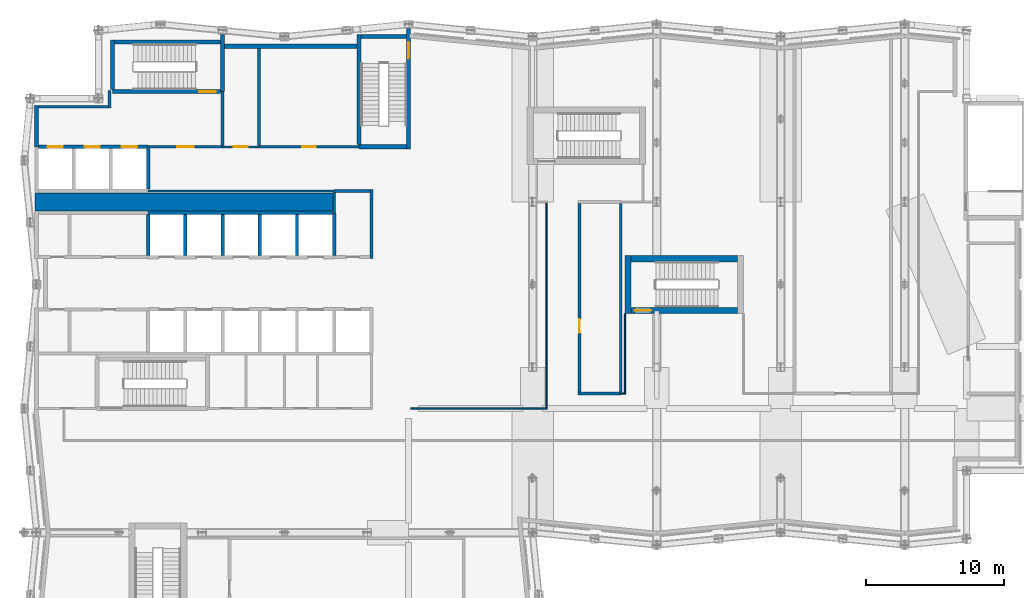
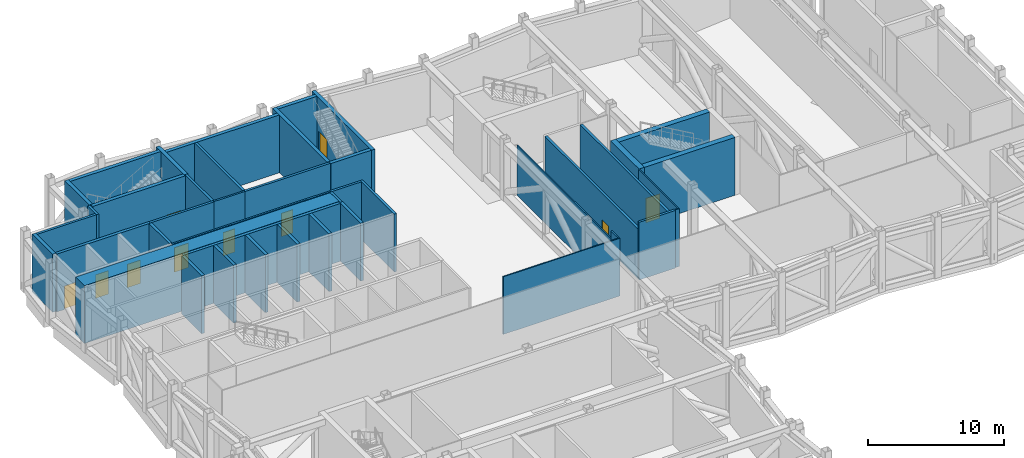
# One storey, part 11 of 22: 42 walls, 10 doors, 10 openings.
"""IFC4 building model written with IfcOpenShell, lengths in metres."""

from ifc_helpers import new_model, si_unit, direction, frame, frame_2d, origin, place, context, subcontext, project, spatial, rectangle, extrude, material, layer, layer_set, type_object, element, fill, save


model = new_model("IFC4")

# Units and contexts
model_context = context("Model", 3, precision=1e-05, world=origin(), true_north=direction((0.0, 1.0)))
body_context = subcontext(model_context, "Body", "Model", "MODEL_VIEW")
ifc_project = project(units=[si_unit("LENGTHUNIT", "METRE"), si_unit("AREAUNIT", "SQUARE_METRE"), si_unit("VOLUMEUNIT", "CUBIC_METRE"), si_unit("PLANEANGLEUNIT", "RADIAN"), si_unit("MASSUNIT", "GRAM", prefix="KILO")], contexts=[model_context])

# Site, building, storey
site_placement = place(None, origin())
site = spatial("IfcSite", under=ifc_project, at=site_placement, CompositionType="ELEMENT")
building_placement = place(site_placement, origin())
building = spatial("IfcBuilding", under=site, at=building_placement, Name="Brondeck Convention Tower", CompositionType="ELEMENT")
storey_placement = place(building_placement, frame((0.0, 0.0, 32.0)))
storey = spatial("IfcBuildingStorey", under=building, at=storey_placement, Name="L05", CompositionType="ELEMENT", Elevation=32.0)

# Walls
ifc_material_1 = material(Name="Concrete C80/95", Category="concrete")
ifc_layer_1 = layer(ifc_material_1, 0.199951171875)
ifc_layer_set_1 = layer_set([ifc_layer_1], Name="Core beam-seat wall 200 Concrete C80/95")
wall_type_1 = type_object("IfcWallType", Name="Core beam-seat wall 200 Concrete C80/95", PredefinedType="SHEAR", material=ifc_layer_set_1)
wall_1_placement = place(storey_placement, frame((24.300048828125, 46.89990234375, 0.0), z_axis=(0.0, 0.0, 1.0), x_axis=(0.0, 1.0, 0.0)))
element("IfcWall", 1, at=wall_1_placement, inside=storey, type_object=wall_type_1, Name="L05 core wall", PredefinedType="SHEAR", context=body_context, shape_type="SweptSolid", body=[
    extrude(rectangle(XDim=5.0, YDim=0.199951171875, at=frame_2d((2.5, 0.0))), origin(), (0.0, 0.0, 1.0), 5.199951171875),
])
ifc_layer_2 = layer(ifc_material_1, 0.300048828125)
ifc_layer_set_2 = layer_set([ifc_layer_2], Name="Core outer wall 300 Concrete C80/95")
wall_type_2 = type_object("IfcWallType", Name="Core outer wall 300 Concrete C80/95", PredefinedType="SHEAR", material=ifc_layer_set_2)
wall_2_placement = place(storey_placement, frame((13.64990234375, 62.300048828125, 0.0), z_axis=(0.0, 0.0, 1.0), x_axis=(1.0, 0.0, 0.0)))
element("IfcWall", 2, at=wall_2_placement, inside=storey, type_object=wall_type_2, Name="L05 core wall", PredefinedType="SHEAR", context=body_context, shape_type="SweptSolid", body=[
    extrude(rectangle(XDim=9.60009765625, YDim=0.300048828125, at=frame_2d((4.800048828125, 0.0))), origin(), (0.0, 0.0, 1.0), 5.199951171875),
])
wall_3_placement = place(storey_placement, frame((0.0, 55.0, 0.0), z_axis=(0.0, 0.0, 1.0), x_axis=(0.0, 1.0, 0.0)))
element("IfcWall", 3, at=wall_3_placement, inside=storey, type_object=wall_type_2, Name="L05 core wall", PredefinedType="SHEAR", context=body_context, shape_type="SweptSolid", body=[
    extrude(rectangle(XDim=3.0, YDim=0.300048828125, at=frame_2d((1.5, 0.0))), origin(), (0.0, 0.0, 1.0), 5.199951171875),
])
ifc_material_2 = material(Name="Fire-rated gypsum board partition")
ifc_layer_3 = layer(ifc_material_2, 0.14990234375)
ifc_layer_set_3 = layer_set([ifc_layer_3], Name="Core partition 150 EI 60")
wall_type_3 = type_object("IfcWallType", Name="Core partition 150 EI 60", PredefinedType="PARTITIONING", material=ifc_layer_set_3)
wall_4_placement = place(storey_placement, frame((8.10009765625, 51.800048828125, 0.0), z_axis=(0.0, 0.0, 1.0), x_axis=(1.0, 0.0, 0.0)))
element("IfcWall", 4, at=wall_4_placement, inside=storey, type_object=wall_type_3, Name="L05 core wall", PredefinedType="PARTITIONING", context=body_context, shape_type="SweptSolid", body=[
    extrude(rectangle(XDim=13.5, YDim=0.14990234375, at=frame_2d((6.75, 0.0))), origin(), (0.0, 0.0, 1.0), 5.199951171875),
])

# Wall, opening, door
wall_5_placement = place(storey_placement, frame((13.5, 55.0, 0.0), z_axis=(0.0, 0.0, 1.0), x_axis=(1.0, 0.0, 0.0)))
wall_5 = element("IfcWall", 5, at=wall_5_placement, inside=storey, type_object=wall_type_3, Name="L05 core wall", PredefinedType="PARTITIONING", context=body_context, shape_type="SweptSolid", body=[
    extrude(rectangle(XDim=2.64990234375, YDim=0.14990234375, at=frame_2d((1.324951171875, 0.0))), origin(), (0.0, 0.0, 1.0), 5.199951171875),
])
opening_1_placement = place(wall_5_placement, frame((0.824951171875, 0.0, 0.0)))
opening_1 = element("IfcOpeningElement", 6, at=opening_1_placement, cuts=wall_5, Name="Opening C07-12", PredefinedType="OPENING", context=body_context, shape_type="SweptSolid", body=[
    extrude(rectangle(XDim=1.0, YDim=2.10009765625, at=frame_2d((0.5, 1.050048828125))), frame((0.0, 0.0849609375, 0.0), z_axis=(0.0, -1.0, 0.0), x_axis=(1.0, 0.0, 0.0)), (0.0, 0.0, 1.0), 0.169921875),
])
ifc_material_3 = material(Name="Steel fire door", Category="steel")
door_type_1 = type_object("IfcDoorType", Name="Room door 1000x2100 EI 60", OperationType="NOTDEFINED", PredefinedType="DOOR", material=ifc_material_3)
door_1_placement = place(opening_1_placement, origin())
door_1 = element("IfcDoor", 7, at=door_1_placement, inside=storey, type_object=door_type_1, Name="L05 Room door NE-1", OperationType="SINGLE_SWING_LEFT", OverallHeight=2.10009765625, OverallWidth=1.0, PredefinedType="DOOR", context=body_context, shape_type="SweptSolid", body=[
    extrude(rectangle(XDim=1.0, YDim=2.10009765625, at=frame_2d((0.5, 1.050048828125))), frame((0.0, 0.02490234375, 0.0), z_axis=(0.0, -1.0, 0.0), x_axis=(1.0, 0.0, 0.0)), (0.0, 0.0, 1.0), 0.050048828125),
])
fill(opening_1, door_1)

# Wall
ifc_layer_4 = layer(ifc_material_1, 1.300048828125)
ifc_layer_set_4 = layer_set([ifc_layer_4], Name="Core shear wall 1300 Concrete C80/95")
wall_type_4 = type_object("IfcWallType", Name="Core shear wall 1300 Concrete C80/95", PredefinedType="SHEAR", material=ifc_layer_set_4)
wall_6_placement = place(storey_placement, frame((-0.125, 51.0, 0.0), z_axis=(0.0, 0.0, 1.0), x_axis=(1.0, 0.0, 0.0)))
element("IfcWall", 8, at=wall_6_placement, inside=storey, type_object=wall_type_4, Name="L05 core wall", PredefinedType="SHEAR", context=body_context, shape_type="SweptSolid", body=[
    extrude(rectangle(XDim=21.625, YDim=1.300048828125, at=frame_2d((10.8125, 0.0))), origin(), (0.0, 0.0, 1.0), 5.199951171875),
])

# Wall, opening, door
ifc_layer_5 = layer(ifc_material_2, 0.199951171875)
ifc_layer_set_5 = layer_set([ifc_layer_5], Name="Firefighting lobby wall 200 EI 120")
wall_type_5 = type_object("IfcWallType", Name="Firefighting lobby wall 200 EI 120", PredefinedType="PARTITIONING", material=ifc_layer_set_5)
wall_7_placement = place(storey_placement, frame((8.10009765625, 55.0, 0.0), z_axis=(0.0, 0.0, 1.0), x_axis=(1.0, 0.0, 0.0)))
wall_7 = element("IfcWall", 9, at=wall_7_placement, inside=storey, type_object=wall_type_5, Name="L05 core wall", PredefinedType="PARTITIONING", context=body_context, shape_type="SweptSolid", body=[
    extrude(rectangle(XDim=5.39990234375, YDim=0.199951171875, at=frame_2d((2.699951171875, 0.0))), origin(), (0.0, 0.0, 1.0), 5.199951171875),
])
opening_2_placement = place(wall_7_placement, frame((2.10009765625, 0.0, 0.0)))
opening_2 = element("IfcOpeningElement", 10, at=opening_2_placement, cuts=wall_7, Name="Opening C07-01", PredefinedType="OPENING", context=body_context, shape_type="SweptSolid", body=[
    extrude(rectangle(XDim=1.199951171875, YDim=2.199951171875, at=frame_2d((0.60009765625, 1.10009765625))), frame((0.0, 0.10986328125, 0.0), z_axis=(0.0, -1.0, 0.0), x_axis=(1.0, 0.0, 0.0)), (0.0, 0.0, 1.0), 0.219970703125),
])
door_type_2 = type_object("IfcDoorType", Name="Firefighting lobby door 1200x2200 EI 120", OperationType="NOTDEFINED", PredefinedType="DOOR", material=ifc_material_3)
door_2_placement = place(opening_2_placement, origin())
door_2 = element("IfcDoor", 11, at=door_2_placement, inside=storey, type_object=door_type_2, Name="L05 Firefighting lobby door FFL-1", OperationType="SINGLE_SWING_RIGHT", OverallHeight=2.199951171875, OverallWidth=1.199951171875, PredefinedType="DOOR", context=body_context, shape_type="SweptSolid", body=[
    extrude(rectangle(XDim=1.199951171875, YDim=2.199951171875, at=frame_2d((0.60009765625, 1.10009765625))), frame((0.0, 0.02490234375, 0.0), z_axis=(0.0, -1.0, 0.0), x_axis=(1.0, 0.0, 0.0)), (0.0, 0.0, 1.0), 0.050048828125),
])
fill(opening_2, door_2)

# Walls
wall_8_placement = place(storey_placement, frame((0.14990234375, 57.89990234375, 0.0), z_axis=(0.0, 0.0, 1.0), x_axis=(1.0, 0.0, 0.0)))
element("IfcWall", 12, at=wall_8_placement, inside=storey, type_object=wall_type_5, Name="L05 core wall", PredefinedType="PARTITIONING", context=body_context, shape_type="SweptSolid", body=[
    extrude(rectangle(XDim=5.050048828125, YDim=0.199951171875, at=frame_2d((2.52490234375, 0.0))), origin(), (0.0, 0.0, 1.0), 5.199951171875),
])
wall_9_placement = place(storey_placement, frame((5.300048828125, 57.800048828125, 0.0), z_axis=(0.0, 0.0, 1.0), x_axis=(0.0, 1.0, 0.0)))
element("IfcWall", 13, at=wall_9_placement, inside=storey, type_object=wall_type_5, Name="L05 core wall", PredefinedType="PARTITIONING", context=body_context, shape_type="SweptSolid", body=[
    extrude(rectangle(XDim=1.300048828125, YDim=0.199951171875, at=frame_2d((0.64990234375, 0.0))), origin(), (0.0, 0.0, 1.0), 5.199951171875),
])
wall_10_placement = place(storey_placement, frame((13.5, 55.10009765625, 0.0), z_axis=(0.0, 0.0, 1.0), x_axis=(0.0, 1.0, 0.0)))
element("IfcWall", 14, at=wall_10_placement, inside=storey, type_object=wall_type_5, Name="L05 core wall", PredefinedType="PARTITIONING", context=body_context, shape_type="SweptSolid", body=[
    extrude(rectangle(XDim=3.89990234375, YDim=0.199951171875, at=frame_2d((1.949951171875, 0.0))), origin(), (0.0, 0.0, 1.0), 5.199951171875),
])
ifc_layer_6 = layer(ifc_material_1, 0.25)
ifc_layer_set_6 = layer_set([ifc_layer_6], Name="Lift shaft wall 250 Concrete C80/95")
wall_type_6 = type_object("IfcWallType", Name="Lift shaft wall 250 Concrete C80/95", PredefinedType="SHEAR", material=ifc_layer_set_6)
wall_11_placement = place(storey_placement, frame((8.10009765625, 50.199951171875, 0.0), z_axis=(0.0, 0.0, 1.0), x_axis=(1.0, 0.0, 0.0)))
element("IfcWall", 15, at=wall_11_placement, inside=storey, type_object=wall_type_6, Name="L05 core wall", PredefinedType="SHEAR", context=body_context, shape_type="SweptSolid", body=[
    extrude(rectangle(XDim=13.375, YDim=0.25, at=frame_2d((6.6875, 0.0))), origin(), (0.0, 0.0, 1.0), 5.199951171875),
])

# Wall, openings, doors
wall_12_placement = place(storey_placement, frame((0.14990234375, 55.0, 0.0), z_axis=(0.0, 0.0, 1.0), x_axis=(1.0, 0.0, 0.0)))
wall_12 = element("IfcWall", 16, at=wall_12_placement, inside=storey, type_object=wall_type_6, Name="L05 core wall", PredefinedType="SHEAR", context=body_context, shape_type="SweptSolid", body=[
    extrude(rectangle(XDim=7.9501953125, YDim=0.25, at=frame_2d((3.97509765625, 0.0))), origin(), (0.0, 0.0, 1.0), 5.199951171875),
])
opening_3_placement = place(wall_12_placement, frame((0.64990234375, 0.0, 0.0)))
opening_3 = element("IfcOpeningElement", 17, at=opening_3_placement, cuts=wall_12, Name="Opening C07-23", PredefinedType="OPENING", context=body_context, shape_type="SweptSolid", body=[
    extrude(rectangle(XDim=1.10009765625, YDim=2.10009765625, at=frame_2d((0.550048828125, 1.050048828125))), frame((0.0, 0.135009765625, 0.0), z_axis=(0.0, -1.0, 0.0), x_axis=(1.0, 0.0, 0.0)), (0.0, 0.0, 1.0), 0.27001953125),
])
opening_4_placement = place(wall_12_placement, frame((3.35009765625, 0.0, 0.0)))
opening_4 = element("IfcOpeningElement", 18, at=opening_4_placement, cuts=wall_12, Name="Opening C07-24", PredefinedType="OPENING", context=body_context, shape_type="SweptSolid", body=[
    extrude(rectangle(XDim=1.10009765625, YDim=2.10009765625, at=frame_2d((0.550048828125, 1.050048828125))), frame((0.0, 0.135009765625, 0.0), z_axis=(0.0, -1.0, 0.0), x_axis=(1.0, 0.0, 0.0)), (0.0, 0.0, 1.0), 0.27001953125),
])
opening_5_placement = place(wall_12_placement, frame((6.050048828125, 0.0, 0.0)))
opening_5 = element("IfcOpeningElement", 19, at=opening_5_placement, cuts=wall_12, Name="Opening C07-25", PredefinedType="OPENING", context=body_context, shape_type="SweptSolid", body=[
    extrude(rectangle(XDim=1.10009765625, YDim=2.10009765625, at=frame_2d((0.550048828125, 1.050048828125))), frame((0.0, 0.135009765625, 0.0), z_axis=(0.0, -1.0, 0.0), x_axis=(1.0, 0.0, 0.0)), (0.0, 0.0, 1.0), 0.27001953125),
])
ifc_material_4 = material(Name="Stainless steel lift door", Category="steel")
door_type_3 = type_object("IfcDoorType", Name="Lift landing door 1100x2100 EI 180", OperationType="DOUBLE_DOOR_SLIDING", PredefinedType="DOOR", material=ifc_material_4)
door_3_placement = place(opening_3_placement, origin())
door_3 = element("IfcDoor", 20, at=door_3_placement, inside=storey, type_object=door_type_3, Name="L05 Lift landing door FF1", OperationType="DOUBLE_DOOR_SLIDING", OverallHeight=2.10009765625, OverallWidth=1.10009765625, PredefinedType="DOOR", context=body_context, shape_type="SweptSolid", body=[
    extrude(rectangle(XDim=1.10009765625, YDim=2.10009765625, at=frame_2d((0.550048828125, 1.050048828125))), frame((0.0, 0.02490234375, 0.0), z_axis=(0.0, -1.0, 0.0), x_axis=(1.0, 0.0, 0.0)), (0.0, 0.0, 1.0), 0.050048828125),
])
fill(opening_3, door_3)
door_4_placement = place(opening_4_placement, origin())
door_4 = element("IfcDoor", 21, at=door_4_placement, inside=storey, type_object=door_type_3, Name="L05 Lift landing door FF2", OperationType="DOUBLE_DOOR_SLIDING", OverallHeight=2.10009765625, OverallWidth=1.10009765625, PredefinedType="DOOR", context=body_context, shape_type="SweptSolid", body=[
    extrude(rectangle(XDim=1.10009765625, YDim=2.10009765625, at=frame_2d((0.550048828125, 1.050048828125))), frame((0.0, 0.02490234375, 0.0), z_axis=(0.0, -1.0, 0.0), x_axis=(1.0, 0.0, 0.0)), (0.0, 0.0, 1.0), 0.050048828125),
])
fill(opening_4, door_4)
door_5_placement = place(opening_5_placement, origin())
door_5 = element("IfcDoor", 22, at=door_5_placement, inside=storey, type_object=door_type_3, Name="L05 Lift landing door FF3", OperationType="DOUBLE_DOOR_SLIDING", OverallHeight=2.10009765625, OverallWidth=1.10009765625, PredefinedType="DOOR", context=body_context, shape_type="SweptSolid", body=[
    extrude(rectangle(XDim=1.10009765625, YDim=2.10009765625, at=frame_2d((0.550048828125, 1.050048828125))), frame((0.0, 0.02490234375, 0.0), z_axis=(0.0, -1.0, 0.0), x_axis=(1.0, 0.0, 0.0)), (0.0, 0.0, 1.0), 0.050048828125),
])
fill(opening_5, door_5)

# Walls
for number, where, z_axis, x_axis, name in (
    (23, (8.10009765625, 47.125, 0.0), (0.0, 0.0, 1.0), (0.0, 1.0, 0.0), "L05 core wall"),
    (24, (8.10009765625, 51.925048828125, 0.0), (0.0, 0.0, 1.0), (0.0, 1.0, 0.0), "L05 core wall"),
    (25, (10.800048828125, 47.125, 0.0), (0.0, 0.0, 1.0), (0.0, 1.0, 0.0), "L05 core wall"),
    (26, (13.5, 47.125, 0.0), (0.0, 0.0, 1.0), (0.0, 1.0, 0.0), "L05 core wall"),
    (27, (16.199951171875, 47.125, 0.0), (0.0, 0.0, 1.0), (0.0, 1.0, 0.0), "L05 core wall"),
    (28, (18.89990234375, 47.125, 0.0), (0.0, 0.0, 1.0), (0.0, 1.0, 0.0), "L05 core wall"),
):
    element("IfcWall", number, at=place(storey_placement, frame(where, z_axis=z_axis, x_axis=x_axis)), inside=storey, type_object=wall_type_6, Name=name, PredefinedType="SHEAR", context=body_context, shape_type="SweptSolid", body=[
        extrude(rectangle(XDim=2.949951171875, YDim=0.25, at=frame_2d((1.47509765625, 0.0))), origin(), (0.0, 0.0, 1.0), 5.199951171875),
    ])
wall_13_placement = place(storey_placement, frame((21.60009765625, 47.125, 0.0), z_axis=(0.0, 0.0, 1.0), x_axis=(0.0, 1.0, 0.0)))
element("IfcWall", 29, at=wall_13_placement, inside=storey, type_object=wall_type_6, Name="L05 core wall", PredefinedType="SHEAR", context=body_context, shape_type="SweptSolid", body=[
    extrude(rectangle(XDim=3.074951171875, YDim=0.25, at=frame_2d((1.53759765625, 0.0))), origin(), (0.0, 0.0, 1.0), 5.199951171875),
])
ifc_material_5 = material(Name="Concrete block wall C16/20", Category="concrete")
ifc_layer_7 = layer(ifc_material_5, 0.199951171875)
ifc_layer_set_7 = layer_set([ifc_layer_7], Name="Plant room wall 200")
wall_type_7 = type_object("IfcWallType", Name="Plant room wall 200", PredefinedType="PARTITIONING", material=ifc_layer_set_7)
wall_14_placement = place(storey_placement, frame((39.300048828125, 37.10009765625, 0.0), z_axis=(0.0, 0.0, 1.0), x_axis=(1.0, 0.0, 0.0)))
element("IfcWall", 30, at=wall_14_placement, inside=storey, type_object=wall_type_7, Name="FLR-L05-W019", PredefinedType="PARTITIONING", context=body_context, shape_type="SweptSolid", body=[
    extrude(rectangle(XDim=3.099853515625, YDim=0.199951171875, at=frame_2d((1.5498046875, 0.0))), origin(), (0.0, 0.0, 1.0), 5.179931640625),
])

# Wall, opening, door
wall_15_placement = place(storey_placement, frame((39.39990234375, 50.89990234375, 0.0), z_axis=(0.0, 0.0, 1.0), x_axis=(0.0, -1.0, 0.0)))
wall_15 = element("IfcWall", 31, at=wall_15_placement, inside=storey, type_object=wall_type_7, Name="FLR-L05-W032", PredefinedType="PARTITIONING", context=body_context, shape_type="SweptSolid", body=[
    extrude(rectangle(XDim=13.699951171875, YDim=0.199951171875, at=frame_2d((6.85009765625, 0.0))), origin(), (0.0, 0.0, 1.0), 4.47998046875),
])
opening_6_placement = place(wall_15_placement, frame((8.39990234375, 0.0, 0.0)))
opening_6 = element("IfcOpeningElement", 32, at=opening_6_placement, cuts=wall_15, Name="Opening P-L05-001", PredefinedType="OPENING", context=body_context, shape_type="SweptSolid", body=[
    extrude(rectangle(XDim=1.0, YDim=2.10009765625, at=frame_2d((0.5, 1.050048828125))), frame((0.0, 0.10986328125, 0.0), z_axis=(0.0, -1.0, 0.0), x_axis=(1.0, 0.0, 0.0)), (0.0, 0.0, 1.0), 0.219970703125),
])
ifc_material_6 = material(Name="Steel fire door leaf", Category="steel")
door_type_4 = type_object("IfcDoorType", Name="Plant room door 1000", OperationType="NOTDEFINED", PredefinedType="DOOR", material=ifc_material_6)
door_6_placement = place(opening_6_placement, origin())
door_6 = element("IfcDoor", 33, at=door_6_placement, inside=storey, type_object=door_type_4, Name="Door P-L05-001", OperationType="SINGLE_SWING_LEFT", OverallHeight=2.10009765625, OverallWidth=1.0, PredefinedType="DOOR", context=body_context, shape_type="SweptSolid", body=[
    extrude(rectangle(XDim=1.0, YDim=2.10009765625, at=frame_2d((0.5, 1.050048828125))), frame((0.0, 0.02490234375, 0.0), z_axis=(0.0, -1.0, 0.0), x_axis=(1.0, 0.0, 0.0)), (0.0, 0.0, 1.0), 0.050048828125),
])
fill(opening_6, door_6)

# Walls
wall_16_placement = place(storey_placement, frame((42.39990234375, 50.89990234375, 0.0), z_axis=(0.0, 0.0, 1.0), x_axis=(0.0, -1.0, 0.0)))
element("IfcWall", 34, at=wall_16_placement, inside=storey, type_object=wall_type_7, Name="FLR-L05-W033", PredefinedType="PARTITIONING", context=body_context, shape_type="SweptSolid", body=[
    extrude(rectangle(XDim=13.699951171875, YDim=0.199951171875, at=frame_2d((6.85009765625, 0.0))), origin(), (0.0, 0.0, 1.0), 4.47998046875),
])
ifc_layer_8 = layer(ifc_material_2, 0.199951171875)
ifc_layer_set_8 = layer_set([ifc_layer_8], Name="Riser wall 200 EI 120")
wall_type_8 = type_object("IfcWallType", Name="Riser wall 200 EI 120", PredefinedType="PARTITIONING", material=ifc_layer_set_8)
wall_17_placement = place(storey_placement, frame((21.60009765625, 51.800048828125, 0.0), z_axis=(0.0, 0.0, 1.0), x_axis=(1.0, 0.0, 0.0)))
element("IfcWall", 35, at=wall_17_placement, inside=storey, type_object=wall_type_8, Name="L05 core wall", PredefinedType="PARTITIONING", context=body_context, shape_type="SweptSolid", body=[
    extrude(rectangle(XDim=2.599853515625, YDim=0.199951171875, at=frame_2d((1.2998046875, 0.0))), origin(), (0.0, 0.0, 1.0), 5.199951171875),
])

# Wall, opening, door
wall_18_placement = place(storey_placement, frame((16.14990234375, 55.0, 0.0), z_axis=(0.0, 0.0, 1.0), x_axis=(1.0, 0.0, 0.0)))
wall_18 = element("IfcWall", 36, at=wall_18_placement, inside=storey, type_object=wall_type_8, Name="L05 core wall", PredefinedType="PARTITIONING", context=body_context, shape_type="SweptSolid", body=[
    extrude(rectangle(XDim=7.25, YDim=0.199951171875, at=frame_2d((3.625, 0.0))), origin(), (0.0, 0.0, 1.0), 5.199951171875),
])
opening_7_placement = place(wall_18_placement, frame((3.125, 0.0, 0.0)))
opening_7 = element("IfcOpeningElement", 37, at=opening_7_placement, cuts=wall_18, Name="Opening C07-13", PredefinedType="OPENING", context=body_context, shape_type="SweptSolid", body=[
    extrude(rectangle(XDim=1.0, YDim=2.10009765625, at=frame_2d((0.5, 1.050048828125))), frame((0.0, 0.10986328125, 0.0), z_axis=(0.0, -1.0, 0.0), x_axis=(1.0, 0.0, 0.0)), (0.0, 0.0, 1.0), 0.219970703125),
])
door_type_5 = type_object("IfcDoorType", Name="Riser door 1000x2100 EI 120", OperationType="NOTDEFINED", PredefinedType="DOOR", material=ifc_material_3)
door_7_placement = place(opening_7_placement, origin())
door_7 = element("IfcDoor", 38, at=door_7_placement, inside=storey, type_object=door_type_5, Name="L05 Riser door NE-2", OperationType="SINGLE_SWING_RIGHT", OverallHeight=2.10009765625, OverallWidth=1.0, PredefinedType="DOOR", context=body_context, shape_type="SweptSolid", body=[
    extrude(rectangle(XDim=1.0, YDim=2.10009765625, at=frame_2d((0.5, 1.050048828125))), frame((0.0, 0.02490234375, 0.0), z_axis=(0.0, -1.0, 0.0), x_axis=(1.0, 0.0, 0.0)), (0.0, 0.0, 1.0), 0.050048828125),
])
fill(opening_7, door_7)

# Walls
wall_19_placement = place(storey_placement, frame((16.14990234375, 55.10009765625, 0.0), z_axis=(0.0, 0.0, 1.0), x_axis=(0.0, 1.0, 0.0)))
element("IfcWall", 39, at=wall_19_placement, inside=storey, type_object=wall_type_8, Name="L05 core wall", PredefinedType="PARTITIONING", context=body_context, shape_type="SweptSolid", body=[
    extrude(rectangle(XDim=7.0498046875, YDim=0.199951171875, at=frame_2d((3.52490234375, 0.0))), origin(), (0.0, 0.0, 1.0), 5.199951171875),
])
wall_20_placement = place(storey_placement, frame((21.60009765625, 50.199951171875, 0.0), z_axis=(0.0, 0.0, 1.0), x_axis=(0.0, 1.0, 0.0)))
element("IfcWall", 40, at=wall_20_placement, inside=storey, type_object=wall_type_8, Name="L05 core wall", PredefinedType="PARTITIONING", context=body_context, shape_type="SweptSolid", body=[
    extrude(rectangle(XDim=1.5, YDim=0.199951171875, at=frame_2d((0.75, 0.0))), origin(), (0.0, 0.0, 1.0), 5.199951171875),
])
ifc_material_7 = material(Name="Gypsum board partition on steel studs", Category="steel")
ifc_layer_9 = layer(ifc_material_7, 0.10009765625)
ifc_layer_set_9 = layer_set([ifc_layer_9], Name="Room partition 100")
wall_type_9 = type_object("IfcWallType", Name="Room partition 100", PredefinedType="PARTITIONING", material=ifc_layer_set_9)
wall_21_placement = place(storey_placement, frame((27.14990234375, 36.0, 0.0), z_axis=(0.0, 0.0, 1.0), x_axis=(1.0, 0.0, 0.0)))
element("IfcWall", 41, at=wall_21_placement, inside=storey, type_object=wall_type_9, Name="FLR-L05-W016", PredefinedType="PARTITIONING", context=body_context, shape_type="SweptSolid", body=[
    extrude(rectangle(XDim=9.900146484375, YDim=0.10009765625, at=frame_2d((4.9501953125, 0.0))), origin(), (0.0, 0.0, 1.0), 5.179931640625),
])
wall_22_placement = place(storey_placement, frame((37.0, 36.050048828125, 0.0), z_axis=(0.0, 0.0, 1.0), x_axis=(0.0, 1.0, 0.0)))
element("IfcWall", 42, at=wall_22_placement, inside=storey, type_object=wall_type_9, Name="FLR-L05-W017", PredefinedType="PARTITIONING", context=body_context, shape_type="SweptSolid", body=[
    extrude(rectangle(XDim=1.050048828125, YDim=0.10009765625, at=frame_2d((0.52490234375, 0.0))), origin(), (0.0, 0.0, 1.0), 5.179931640625),
])
wall_23_placement = place(storey_placement, frame((37.0, 37.10009765625, 0.0), z_axis=(0.0, 0.0, 1.0), x_axis=(0.0, 1.0, 0.0)))
element("IfcWall", 43, at=wall_23_placement, inside=storey, type_object=wall_type_9, Name="FLR-L05-W018", PredefinedType="PARTITIONING", context=body_context, shape_type="SweptSolid", body=[
    extrude(rectangle(XDim=13.849853515625, YDim=0.10009765625, at=frame_2d((6.9248046875, 0.0))), origin(), (0.0, 0.0, 1.0), 4.47998046875),
])
wall_24_placement = place(storey_placement, frame((42.39990234375, 37.10009765625, 0.0), z_axis=(0.0, 0.0, 1.0), x_axis=(1.0, 0.0, 0.0)))
element("IfcWall", 44, at=wall_24_placement, inside=storey, type_object=wall_type_9, Name="FLR-L05-W020", PredefinedType="PARTITIONING", context=body_context, shape_type="SweptSolid", body=[
    extrude(rectangle(XDim=0.35009765625, YDim=0.10009765625, at=frame_2d((0.175048828125, 0.0))), origin(), (0.0, 0.0, 1.0), 5.179931640625),
])
wall_25_placement = place(storey_placement, frame((42.699951171875, 37.14990234375, 0.0), z_axis=(0.0, 0.0, 1.0), x_axis=(0.0, 1.0, 0.0)))
element("IfcWall", 45, at=wall_25_placement, inside=storey, type_object=wall_type_9, Name="FLR-L05-W025", PredefinedType="PARTITIONING", context=body_context, shape_type="SweptSolid", body=[
    extrude(rectangle(XDim=5.75, YDim=0.10009765625, at=frame_2d((2.875, 0.0))), origin(), (0.0, 0.0, 1.0), 5.179931640625),
])

# Wall, opening, door
ifc_material_8 = material(Name="Concrete C50/60", Category="concrete")
ifc_layer_10 = layer(ifc_material_8, 0.449951171875)
ifc_layer_set_10 = layer_set([ifc_layer_10], Name="Stair enclosure bearing wall 450 Concrete C50/60")
wall_type_10 = type_object("IfcWallType", Name="Stair enclosure bearing wall 450 Concrete C50/60", PredefinedType="SHEAR", material=ifc_layer_set_10)
wall_26_placement = place(storey_placement, frame((43.14990234375, 43.125, 0.0), z_axis=(0.0, 0.0, 1.0), x_axis=(1.0, 0.0, 0.0)))
wall_26 = element("IfcWall", 46, at=wall_26_placement, inside=storey, type_object=wall_type_10, Name="L05 core wall", PredefinedType="SHEAR", context=body_context, shape_type="SweptSolid", body=[
    extrude(rectangle(XDim=7.7001953125, YDim=0.449951171875, at=frame_2d((3.85009765625, 0.0))), origin(), (0.0, 0.0, 1.0), 5.199951171875),
])
opening_8_placement = place(wall_26_placement, frame((0.25, 0.0, 0.0)))
opening_8 = element("IfcOpeningElement", 47, at=opening_8_placement, cuts=wall_26, Name="Opening C07-20", PredefinedType="OPENING", context=body_context, shape_type="SweptSolid", body=[
    extrude(rectangle(XDim=1.199951171875, YDim=2.199951171875, at=frame_2d((0.60009765625, 1.10009765625))), frame((0.0, 0.23486328125, 0.0), z_axis=(0.0, -1.0, 0.0), x_axis=(1.0, 0.0, 0.0)), (0.0, 0.0, 1.0), 0.469970703125),
])
door_type_6 = type_object("IfcDoorType", Name="Stair door 1200x2200 EI 90", OperationType="NOTDEFINED", PredefinedType="DOOR", material=ifc_material_3)
door_8_placement = place(opening_8_placement, origin())
door_8 = element("IfcDoor", 48, at=door_8_placement, inside=storey, type_object=door_type_6, Name="L05 Stair door ST-AF", OperationType="SINGLE_SWING_RIGHT", OverallHeight=2.199951171875, OverallWidth=1.199951171875, PredefinedType="DOOR", context=body_context, shape_type="SweptSolid", body=[
    extrude(rectangle(XDim=1.199951171875, YDim=2.199951171875, at=frame_2d((0.60009765625, 1.10009765625))), frame((0.0, 0.02490234375, 0.0), z_axis=(0.0, -1.0, 0.0), x_axis=(1.0, 0.0, 0.0)), (0.0, 0.0, 1.0), 0.050048828125),
])
fill(opening_8, door_8)

# Walls
wall_27_placement = place(storey_placement, frame((43.14990234375, 46.875, 0.0), z_axis=(0.0, 0.0, 1.0), x_axis=(1.0, 0.0, 0.0)))
element("IfcWall", 49, at=wall_27_placement, inside=storey, type_object=wall_type_10, Name="L05 core wall", PredefinedType="SHEAR", context=body_context, shape_type="SweptSolid", body=[
    extrude(rectangle(XDim=7.7001953125, YDim=0.449951171875, at=frame_2d((3.85009765625, 0.0))), origin(), (0.0, 0.0, 1.0), 5.199951171875),
])
wall_28_placement = place(storey_placement, frame((42.925048828125, 42.89990234375, 0.0), z_axis=(0.0, 0.0, 1.0), x_axis=(0.0, 1.0, 0.0)))
element("IfcWall", 50, at=wall_28_placement, inside=storey, type_object=wall_type_10, Name="L05 core wall", PredefinedType="SHEAR", context=body_context, shape_type="SweptSolid", body=[
    extrude(rectangle(XDim=4.2001953125, YDim=0.449951171875, at=frame_2d((2.10009765625, 0.0))), origin(), (0.0, 0.0, 1.0), 5.199951171875),
])
ifc_layer_11 = layer(ifc_material_1, 0.300048828125)
ifc_layer_set_11 = layer_set([ifc_layer_11], Name="Stair enclosure wall 300 Concrete C80/95")
wall_type_11 = type_object("IfcWallType", Name="Stair enclosure wall 300 Concrete C80/95", PredefinedType="SHEAR", material=ifc_layer_set_11)
wall_29_placement = place(storey_placement, frame((23.39990234375, 55.0, 0.0), z_axis=(0.0, 0.0, 1.0), x_axis=(1.0, 0.0, 0.0)))
element("IfcWall", 51, at=wall_29_placement, inside=storey, type_object=wall_type_11, Name="L05 core wall", PredefinedType="SHEAR", context=body_context, shape_type="SweptSolid", body=[
    extrude(rectangle(XDim=3.4501953125, YDim=0.300048828125, at=frame_2d((1.72509765625, 0.0))), origin(), (0.0, 0.0, 1.0), 5.199951171875),
])

# Wall, opening, door
wall_30_placement = place(storey_placement, frame((5.5, 59.0, 0.0), z_axis=(0.0, 0.0, 1.0), x_axis=(1.0, 0.0, 0.0)))
wall_30 = element("IfcWall", 52, at=wall_30_placement, inside=storey, type_object=wall_type_11, Name="L05 core wall", PredefinedType="SHEAR", context=body_context, shape_type="SweptSolid", body=[
    extrude(rectangle(XDim=7.85009765625, YDim=0.300048828125, at=frame_2d((3.925048828125, 0.0))), origin(), (0.0, 0.0, 1.0), 5.199951171875),
])
opening_9_placement = place(wall_30_placement, frame((6.300048828125, 0.0, 0.0)))
opening_9 = element("IfcOpeningElement", 53, at=opening_9_placement, cuts=wall_30, Name="Opening C07-18", PredefinedType="OPENING", context=body_context, shape_type="SweptSolid", body=[
    extrude(rectangle(XDim=1.199951171875, YDim=2.199951171875, at=frame_2d((0.60009765625, 1.10009765625))), frame((0.0, 0.159912109375, 0.0), z_axis=(0.0, -1.0, 0.0), x_axis=(1.0, 0.0, 0.0)), (0.0, 0.0, 1.0), 0.320068359375),
])
door_type_7 = type_object("IfcDoorType", Name="Stair door 1200x2200 EI 120", OperationType="NOTDEFINED", PredefinedType="DOOR", material=ifc_material_3)
door_9_placement = place(opening_9_placement, origin())
door_9 = element("IfcDoor", 54, at=door_9_placement, inside=storey, type_object=door_type_7, Name="L05 Stair door ST-3", OperationType="SINGLE_SWING_RIGHT", OverallHeight=2.199951171875, OverallWidth=1.199951171875, PredefinedType="DOOR", context=body_context, shape_type="SweptSolid", body=[
    extrude(rectangle(XDim=1.199951171875, YDim=2.199951171875, at=frame_2d((0.60009765625, 1.10009765625))), frame((0.0, 0.02490234375, 0.0), z_axis=(0.0, -1.0, 0.0), x_axis=(1.0, 0.0, 0.0)), (0.0, 0.0, 1.0), 0.050048828125),
])
fill(opening_9, door_9)

# Walls
wall_31_placement = place(storey_placement, frame((5.64990234375, 62.60009765625, 0.0), z_axis=(0.0, 0.0, 1.0), x_axis=(1.0, 0.0, 0.0)))
element("IfcWall", 55, at=wall_31_placement, inside=storey, type_object=wall_type_11, Name="L05 core wall", PredefinedType="SHEAR", context=body_context, shape_type="SweptSolid", body=[
    extrude(rectangle(XDim=7.7001953125, YDim=0.300048828125, at=frame_2d((3.85009765625, 0.0))), origin(), (0.0, 0.0, 1.0), 5.199951171875),
])
wall_32_placement = place(storey_placement, frame((23.550048828125, 63.0, 0.0), z_axis=(0.0, 0.0, 1.0), x_axis=(1.0, 0.0, 0.0)))
element("IfcWall", 56, at=wall_32_placement, inside=storey, type_object=wall_type_11, Name="L05 core wall", PredefinedType="SHEAR", context=body_context, shape_type="SweptSolid", body=[
    extrude(rectangle(XDim=3.300048828125, YDim=0.300048828125, at=frame_2d((1.64990234375, 0.0))), origin(), (0.0, 0.0, 1.0), 5.199951171875),
])
wall_33_placement = place(storey_placement, frame((5.5, 59.14990234375, 0.0), z_axis=(0.0, 0.0, 1.0), x_axis=(0.0, 1.0, 0.0)))
element("IfcWall", 57, at=wall_33_placement, inside=storey, type_object=wall_type_11, Name="L05 core wall", PredefinedType="SHEAR", context=body_context, shape_type="SweptSolid", body=[
    extrude(rectangle(XDim=3.60009765625, YDim=0.300048828125, at=frame_2d((1.800048828125, 0.0))), origin(), (0.0, 0.0, 1.0), 5.199951171875),
])
wall_34_placement = place(storey_placement, frame((13.5, 59.0, 0.0), z_axis=(0.0, 0.0, 1.0), x_axis=(0.0, 1.0, 0.0)))
element("IfcWall", 58, at=wall_34_placement, inside=storey, type_object=wall_type_11, Name="L05 core wall", PredefinedType="SHEAR", context=body_context, shape_type="SweptSolid", body=[
    extrude(rectangle(XDim=4.14990234375, YDim=0.300048828125, at=frame_2d((2.074951171875, 0.0))), origin(), (0.0, 0.0, 1.0), 5.199951171875),
])
wall_35_placement = place(storey_placement, frame((23.39990234375, 55.14990234375, 0.0), z_axis=(0.0, 0.0, 1.0), x_axis=(0.0, 1.0, 0.0)))
element("IfcWall", 59, at=wall_35_placement, inside=storey, type_object=wall_type_11, Name="L05 core wall", PredefinedType="SHEAR", context=body_context, shape_type="SweptSolid", body=[
    extrude(rectangle(XDim=8.0, YDim=0.300048828125, at=frame_2d((4.0, 0.0))), origin(), (0.0, 0.0, 1.0), 5.199951171875),
])

# Wall, opening, door
wall_36_placement = place(storey_placement, frame((27.0, 54.85009765625, 0.0), z_axis=(0.0, 0.0, 1.0), x_axis=(0.0, 1.0, 0.0)))
wall_36 = element("IfcWall", 60, at=wall_36_placement, inside=storey, type_object=wall_type_11, Name="L05 core wall", PredefinedType="SHEAR", context=body_context, shape_type="SweptSolid", body=[
    extrude(rectangle(XDim=8.75, YDim=0.300048828125, at=frame_2d((4.375, 0.0))), origin(), (0.0, 0.0, 1.0), 5.199951171875),
])
opening_10_placement = place(wall_36_placement, frame((6.550048828125, 0.0, 0.0)))
opening_10 = element("IfcOpeningElement", 61, at=opening_10_placement, cuts=wall_36, Name="Opening C07-17", PredefinedType="OPENING", context=body_context, shape_type="SweptSolid", body=[
    extrude(rectangle(XDim=1.199951171875, YDim=2.199951171875, at=frame_2d((0.60009765625, 1.10009765625))), frame((0.0, 0.159912109375, 0.0), z_axis=(0.0, -1.0, 0.0), x_axis=(1.0, 0.0, 0.0)), (0.0, 0.0, 1.0), 0.320068359375),
])
door_10_placement = place(opening_10_placement, origin())
door_10 = element("IfcDoor", 62, at=door_10_placement, inside=storey, type_object=door_type_6, Name="L05 Stair door ST-2", OperationType="SINGLE_SWING_LEFT", OverallHeight=2.199951171875, OverallWidth=1.199951171875, PredefinedType="DOOR", context=body_context, shape_type="SweptSolid", body=[
    extrude(rectangle(XDim=1.199951171875, YDim=2.199951171875, at=frame_2d((0.60009765625, 1.10009765625))), frame((0.0, 0.02490234375, 0.0), z_axis=(0.0, -1.0, 0.0), x_axis=(1.0, 0.0, 0.0)), (0.0, 0.0, 1.0), 0.050048828125),
])
fill(opening_10, door_10)

save(model, "model.ifc")
